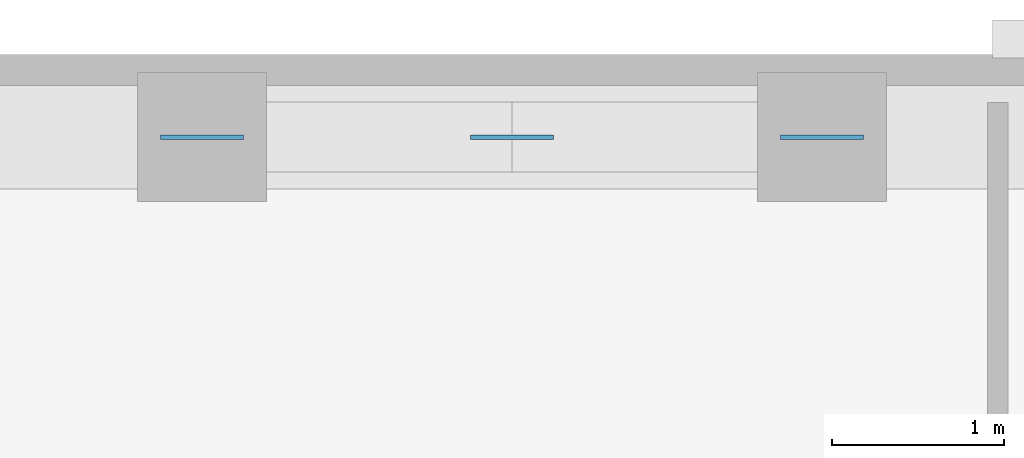
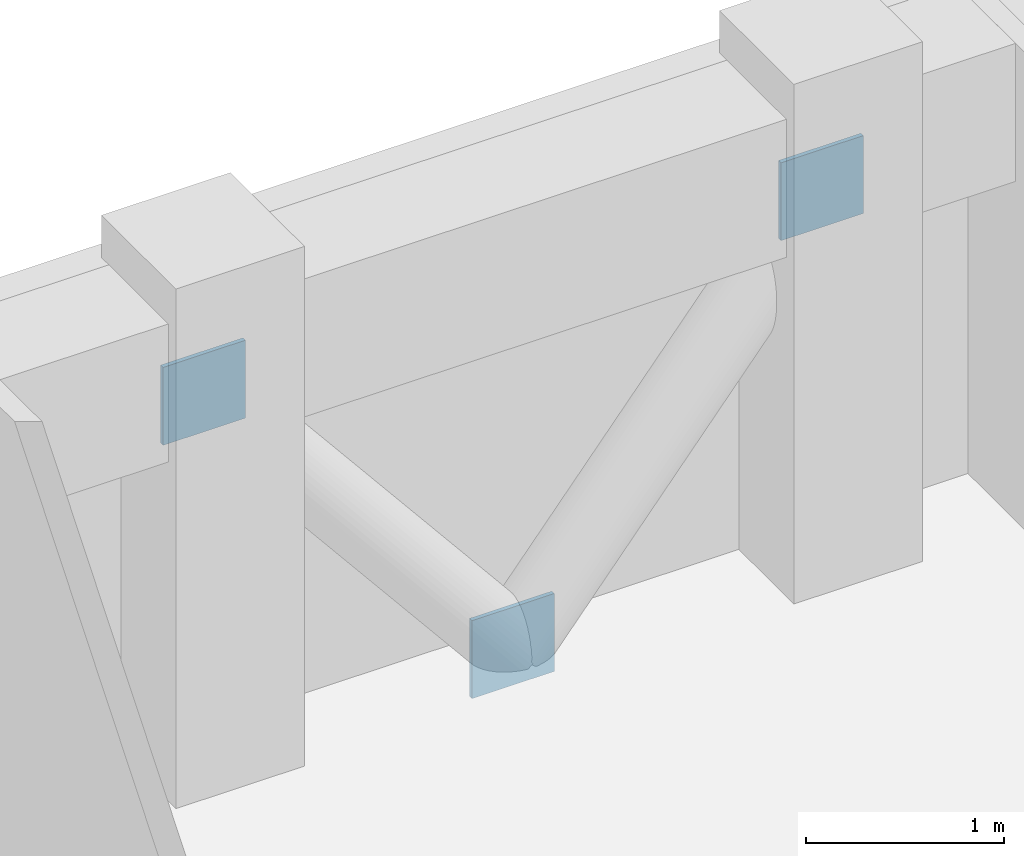
# One storey, part 10 of 12: 3 discrete accessories.
"""IFC4 building model written with IfcOpenShell, lengths in metres."""

from ifc_helpers import new_model, si_unit, derived_unit, direction, frame, origin, origin_2d, place, context, subcontext, project, spatial, rectangle, extrude, material, layer, layer_set, type_object, element, save


model = new_model("IFC4")

# Units and contexts
model_context = context("Model", 3, precision=1e-05, world=origin(), true_north=direction((0.0, 1.0)))
body_context = subcontext(model_context, "Body", "Model", "MODEL_VIEW")
ifc_project = project(units=[si_unit("LENGTHUNIT", "METRE"), si_unit("AREAUNIT", "SQUARE_METRE"), si_unit("VOLUMEUNIT", "CUBIC_METRE"), si_unit("PLANEANGLEUNIT", "RADIAN"), si_unit("MASSUNIT", "GRAM", prefix="KILO"), derived_unit("THERMALTRANSMITTANCEUNIT", [(si_unit("MASSUNIT", "GRAM", prefix="KILO"), 1), (si_unit("TIMEUNIT", "SECOND"), -3), (si_unit("THERMODYNAMICTEMPERATUREUNIT", "KELVIN"), -1)])], contexts=[model_context])

# Site, building, storey
site_placement = place(None, origin())
site = spatial("IfcSite", under=ifc_project, at=site_placement, CompositionType="ELEMENT")
building_placement = place(site_placement, origin())
building = spatial("IfcBuilding", under=site, at=building_placement, Name="Korrvale Station Residences", CompositionType="ELEMENT")
storey_placement = place(building_placement, frame((0.0, 0.0, 110.300048828125)))
storey = spatial("IfcBuildingStorey", under=building, at=storey_placement, Name="L31", CompositionType="ELEMENT", Elevation=110.300048828125)

# Discrete accessories
ifc_material = material(Name="Steel S355", Category="steel")
ifc_layer = layer(ifc_material, 0.02490234375, Name="Steel S355")
ifc_layer_set = layer_set([ifc_layer], Name="Steel S355")
discrete_accessory_type = type_object("IfcDiscreteAccessoryType", Name="ACC-GUSSET-25", PredefinedType="BRACKET", material=ifc_layer_set)
for number, where, z_axis, x_axis, name in (
    (1, (25.0, 42.820068359375, -0.219970703125), (0.0, 0.0, 1.0), (1.0, 0.0, 0.0), "L31 N Brace End Gusset Connection M"),
    (2, (23.199951171875, 42.820068359375, 1.969970703125), (0.0, 0.0, 1.0), (1.0, 0.0, 0.0), "L31 N Brace End Gusset Connection A"),
    (3, (26.800048828125, 42.820068359375, 1.969970703125), (0.0, 0.0, 1.0), (1.0, 0.0, 0.0), "L31 N Brace End Gusset Connection B"),
):
    element("IfcDiscreteAccessory", number, at=place(storey_placement, frame(where, z_axis=z_axis, x_axis=x_axis)), inside=storey, type_object=discrete_accessory_type, Name=name, PredefinedType="BRACKET", context=body_context, shape_type="SweptSolid", body=[
        extrude(rectangle(XDim=0.47998046875, YDim=0.02490234375, at=origin_2d()), origin(), (0.0, 0.0, 1.0), 0.47998046875),
    ])

save(model, "model.ifc")
